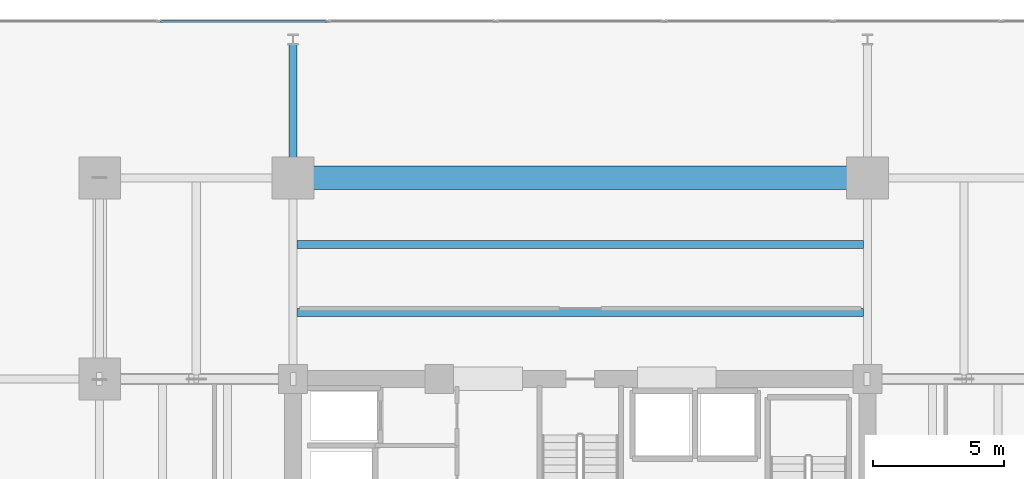
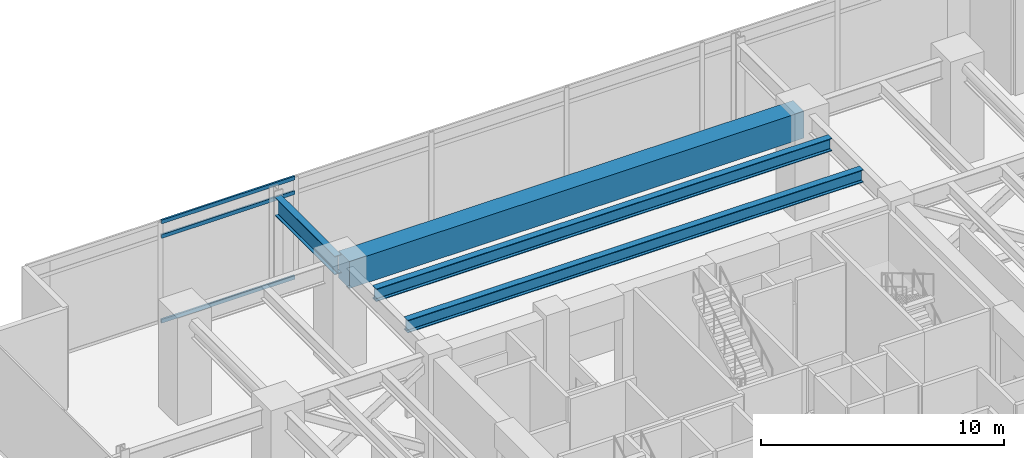
# One storey, part 16 of 26: 4 beams, 3 members, 1 element without a shape of its own.
"""IFC4 building model written with IfcOpenShell, lengths in metres."""

from ifc_helpers import new_model, si_unit, direction, frame, origin, origin_2d, place, context, subcontext, project, spatial, rectangle, hollow_rectangle, i_section, extrude, material, material_profile, profile_set, type_object, element, aggregate, save


model = new_model("IFC4")

# Units and contexts
model_context = context("Model", 3, precision=1e-05, world=origin(), true_north=direction((0.0, 1.0)))
body_context = subcontext(model_context, "Body", "Model", "MODEL_VIEW")
ifc_project = project(units=[si_unit("LENGTHUNIT", "METRE"), si_unit("AREAUNIT", "SQUARE_METRE"), si_unit("VOLUMEUNIT", "CUBIC_METRE"), si_unit("PLANEANGLEUNIT", "RADIAN"), si_unit("MASSUNIT", "GRAM", prefix="KILO")], contexts=[model_context])

# Site, building, storey
site_placement = place(None, origin())
site = spatial("IfcSite", under=ifc_project, at=site_placement, CompositionType="ELEMENT")
building_placement = place(site_placement, origin())
building = spatial("IfcBuilding", under=site, at=building_placement, Name="Kovane Verandah Tower", CompositionType="ELEMENT")
storey_placement = place(building_placement, frame((0.0, 0.0, 113.0)))
storey = spatial("IfcBuildingStorey", under=building, at=storey_placement, Name="L26", CompositionType="ELEMENT", Elevation=113.0)

# Beams
ifc_material_1 = material(Name="Concrete C80/95", Category="concrete")
ifc_material_profile_1 = material_profile(ifc_material_1, rectangle(XDim=0.89990234375, YDim=1.35009765625, at=origin_2d()), Name="RCB900x1350")
ifc_profile_set_1 = profile_set([ifc_material_profile_1], Name="Concrete C80/95")
beam_type_1 = type_object("IfcBeamType", Name="BM-TR-900x1350", PredefinedType="BEAM", material=ifc_profile_set_1)
beam_1_placement = place(storey_placement, frame((29.179931640625, 44.199951171875, 4.425048828125), z_axis=(1.0, 0.0, 0.0), x_axis=(0.0, 1.0, 0.0)))
element("IfcBeam", 1, at=beam_1_placement, inside=storey, type_object=beam_type_1, Name="L26 Primary Tower Girder G-RN2", PredefinedType="BEAM", context=body_context, shape_type="SweptSolid", body=[
    extrude(rectangle(XDim=0.89990234375, YDim=1.35009765625, at=origin_2d()), origin(), (0.0, 0.0, 1.0), 21.64013671875),
])
ifc_material_2 = material(Name="Steel S460", Category="steel")
ifc_material_profile_2 = material_profile(ifc_material_2, i_section(OverallWidth=0.311279296875, OverallDepth=0.6357421875, WebThickness=0.018310546875, FlangeThickness=0.031494140625, FilletRadius=0.0166015625, at=origin_2d()), Name="UB610x305x238")
ifc_profile_set_2 = profile_set([ifc_material_profile_2], Name="Steel S460")
beam_type_2 = type_object("IfcBeamType", Name="BM-UB610x238", PredefinedType="BEAM", material=ifc_profile_set_2)
for number, where, z_axis, x_axis, name in (
    (2, (29.15185546875, 39.050048828125, 4.781982421875), (1.0, 0.0, 0.0), (0.0, 1.0, 0.0), "L26 Secondary Composite Joist J-N1"),
    (3, (29.15185546875, 41.64990234375, 4.781982421875), (1.0, 0.0, 0.0), (0.0, 1.0, 0.0), "L26 Secondary Composite Joist J-N2"),
):
    element("IfcBeam", number, at=place(storey_placement, frame(where, z_axis=z_axis, x_axis=x_axis)), inside=storey, type_object=beam_type_2, Name=name, PredefinedType="BEAM", context=body_context, shape_type="SweptSolid", body=[
        extrude(i_section(OverallWidth=0.311279296875, OverallDepth=0.6357421875, WebThickness=0.018310546875, FlangeThickness=0.031494140625, FilletRadius=0.0166015625, at=origin_2d()), origin(), (0.0, 0.0, 1.0), 21.6962890625),
    ])
ifc_material_profile_3 = material_profile(ifc_material_2, i_section(OverallWidth=0.3076171875, OverallDepth=0.926513671875, WebThickness=0.01953125, FlangeThickness=0.031982421875, FilletRadius=0.01904296875, at=origin_2d()), Name="UB914x305x289")
ifc_profile_set_3 = profile_set([ifc_material_profile_3], Name="Steel S460")
beam_type_3 = type_object("IfcBeamType", Name="BM-UB914x289", PredefinedType="BEAM", material=ifc_profile_set_3)
beam_2_placement = place(storey_placement, frame((29.0, 44.3798828125, 4.63671875), z_axis=(0.0, 1.0, 0.0), x_axis=(-1.0, 0.0, 0.0)))
element("IfcBeam", 4, at=beam_2_placement, inside=storey, type_object=beam_type_3, Name="L26 Primary Tower Girder G-VN1", PredefinedType="BEAM", context=body_context, shape_type="SweptSolid", body=[
    extrude(i_section(OverallWidth=0.3076171875, OverallDepth=0.926513671875, WebThickness=0.01953125, FlangeThickness=0.031982421875, FilletRadius=0.01904296875, at=origin_2d()), origin(), (0.0, 0.0, 1.0), 4.940185546875),
])

# Curtain wall, members
ifc_material_3 = material(Name="Champagne Anodised Aluminium Frame with Low-E Clear Laminated Glass", Category="aluminium")
curtain_wall_type = type_object("IfcCurtainWallType", Name="CW-SYS-02-LOW", PredefinedType="NOTDEFINED", material=ifc_material_3)
curtain_wall_placement = place(storey_placement, origin())
curtain_wall = element("IfcCurtainWall", 5, at=curtain_wall_placement, inside=storey, type_object=curtain_wall_type, Name="L26 N Unitised Curtain Wall", PredefinedType="NOTDEFINED")
ifc_material_4 = material(Name="Champagne Anodised Aluminium 6063-T6", Category="aluminium")
ifc_material_profile_4 = material_profile(ifc_material_4, hollow_rectangle(XDim=0.0849609375, YDim=0.18994140625, WallThickness=0.00390625, at=origin_2d()), Name="AL85x190x4")
ifc_profile_set_4 = profile_set([ifc_material_profile_4], Name="Champagne Anodised Aluminium 6063-T6")
member_type = type_object("IfcMemberType", Name="CW-TRN-85x190", PredefinedType="USERDEFINED", material=ifc_profile_set_4)
member_1_placement = place(storey_placement, frame((30.27978515625, 50.19482421875, 0.050048828125), z_axis=(-1.0, 0.0, 0.0), x_axis=(0.0, -1.0, 0.0)))
member_1 = element("IfcMember", 6, at=member_1_placement, type_object=member_type, Name="L26 N Unitised Curtain Wall Transom TB Bay 6", ObjectType="TRANSOM", PredefinedType="USERDEFINED", context=body_context, shape_type="SweptSolid", body=[
    extrude(hollow_rectangle(XDim=0.0849609375, YDim=0.18994140625, WallThickness=0.00390625, at=origin_2d()), origin(), (0.0, 0.0, 1.0), 6.346923828125),
])
member_2_placement = place(storey_placement, frame((30.27978515625, 50.19482421875, 4.320068359375), z_axis=(-1.0, 0.0, 0.0), x_axis=(0.0, -1.0, 0.0)))
member_2 = element("IfcMember", 7, at=member_2_placement, type_object=member_type, Name="L26 N Unitised Curtain Wall Transom TM Bay 6", ObjectType="TRANSOM", PredefinedType="USERDEFINED", context=body_context, shape_type="SweptSolid", body=[
    extrude(hollow_rectangle(XDim=0.0849609375, YDim=0.18994140625, WallThickness=0.00390625, at=origin_2d()), origin(), (0.0, 0.0, 1.0), 6.346923828125),
])
member_3_placement = place(storey_placement, frame((30.27978515625, 50.19482421875, 5.050048828125), z_axis=(-1.0, 0.0, 0.0), x_axis=(0.0, -1.0, 0.0)))
member_3 = element("IfcMember", 8, at=member_3_placement, type_object=member_type, Name="L26 N Unitised Curtain Wall Transom TT Bay 6", ObjectType="TRANSOM", PredefinedType="USERDEFINED", context=body_context, shape_type="SweptSolid", body=[
    extrude(hollow_rectangle(XDim=0.0849609375, YDim=0.18994140625, WallThickness=0.00390625, at=origin_2d()), origin(), (0.0, 0.0, 1.0), 6.346923828125),
])
aggregate(curtain_wall, [member_1, member_2, member_3])

save(model, "model.ifc")
